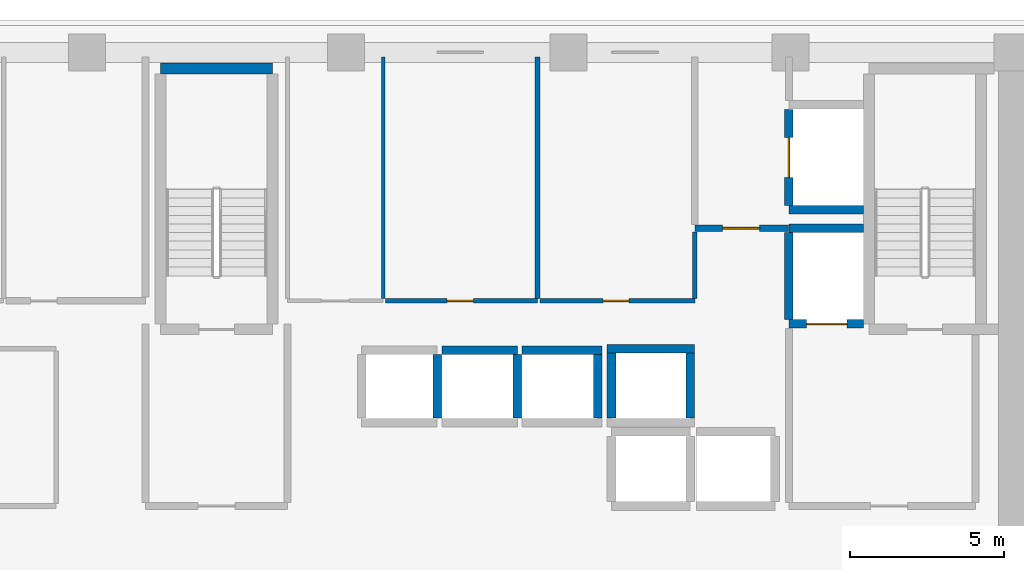
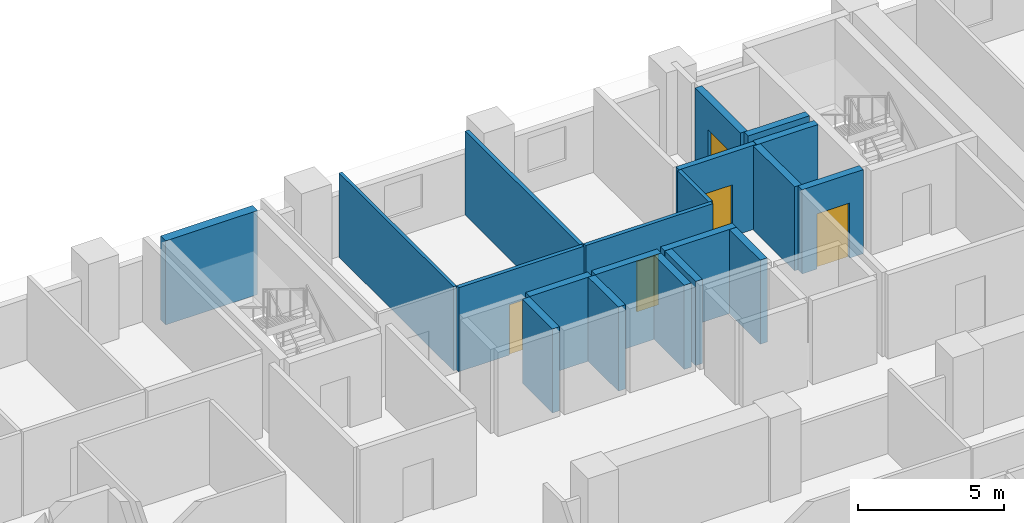
# One storey, part 8 of 15: 20 walls, 5 doors, 5 openings.
"""IFC4 building model written with IfcOpenShell, lengths in metres."""

from ifc_helpers import new_model, si_unit, direction, frame, frame_2d, origin, place, context, subcontext, project, spatial, rectangle, extrude, material, layer, layer_set, type_object, element, fill, save


model = new_model("IFC4")

# Units and contexts
model_context = context("Model", 3, precision=1e-05, world=origin(), true_north=direction((0.0, 1.0)))
body_context = subcontext(model_context, "Body", "Model", "MODEL_VIEW")
ifc_project = project(units=[si_unit("LENGTHUNIT", "METRE"), si_unit("AREAUNIT", "SQUARE_METRE"), si_unit("VOLUMEUNIT", "CUBIC_METRE"), si_unit("PLANEANGLEUNIT", "RADIAN"), si_unit("MASSUNIT", "GRAM", prefix="KILO")], contexts=[model_context])

# Site, building, storey
site_placement = place(None, origin())
site = spatial("IfcSite", under=ifc_project, at=site_placement, CompositionType="ELEMENT")
building_placement = place(site_placement, origin())
building = spatial("IfcBuilding", under=site, at=building_placement, Name="Kaelvorn Grand Hotel", CompositionType="ELEMENT")
storey_placement = place(building_placement, frame((0.0, 0.0, 96.800048828125)))
storey = spatial("IfcBuildingStorey", under=building, at=storey_placement, Name="L22", CompositionType="ELEMENT", Elevation=96.800048828125)

# Wall
ifc_material_1 = material(Name="Moisture-Resistant Tile & Stud Board")
ifc_layer_1 = layer(ifc_material_1, 0.125)
ifc_layer_set_1 = layer_set([ifc_layer_1], Name="Moisture-Resistant Tile & Stud Board")
wall_type_1 = type_object("IfcWallType", Name="WL-PART-125-WET", PredefinedType="PARTITIONING", material=ifc_layer_set_1)
wall_1_placement = place(storey_placement, frame((47.39990234375, 41.017578125, 0.0), z_axis=(0.0, 0.0, 1.0), x_axis=(0.0, 1.0, 0.0)))
element("IfcWall", 1, at=wall_1_placement, inside=storey, type_object=wall_type_1, Name="L22 Accessible WC E Partition", PredefinedType="PARTITIONING", context=body_context, shape_type="SweptSolid", body=[
    extrude(rectangle(XDim=7.83251953125, YDim=0.125, at=frame_2d((3.916259765625, 0.0))), origin(), (0.0, 0.0, 1.0), 3.510009765625),
])

# Wall, opening, door
ifc_material_2 = material(Name="Acoustic Gypsum & Stud Partition")
ifc_layer_2 = layer(ifc_material_2, 0.14990234375)
ifc_layer_set_2 = layer_set([ifc_layer_2], Name="Acoustic Gypsum & Stud Partition")
wall_type_2 = type_object("IfcWallType", Name="WL-PART-150-EI60", PredefinedType="PARTITIONING", material=ifc_layer_set_2)
wall_2_placement = place(storey_placement, frame((47.467529296875, 40.949951171875, 0.0), z_axis=(0.0, 0.0, 1.0), x_axis=(1.0, 0.0, 0.0)))
wall_2 = element("IfcWall", 2, at=wall_2_placement, inside=storey, type_object=wall_type_2, Name="L22 Valet & Luggage Store S Partition", PredefinedType="PARTITIONING", context=body_context, shape_type="SweptSolid", body=[
    extrude(rectangle(XDim=4.932373046875, YDim=0.14990234375, at=frame_2d((2.46630859375, 0.0))), origin(), (0.0, 0.0, 1.0), 3.510009765625),
])
opening_1_placement = place(wall_2_placement, frame((2.007568359375, 0.0, 0.0)))
opening_1 = element("IfcOpeningElement", 3, at=opening_1_placement, cuts=wall_2, Name="Opening DI7", PredefinedType="OPENING", context=body_context, shape_type="SweptSolid", body=[
    extrude(rectangle(XDim=0.85009765625, YDim=2.10009765625, at=frame_2d((0.425048828125, 1.050048828125))), frame((0.0, 0.0849609375, 0.0), z_axis=(0.0, -1.0, 0.0), x_axis=(1.0, 0.0, 0.0)), (0.0, 0.0, 1.0), 0.169921875),
])
ifc_material_3 = material(Name="Powder-Coated Steel Leaf", Category="steel")
door_type_1 = type_object("IfcDoorType", Name="DR-INT-RISER-850x2100", OperationType="NOTDEFINED", PredefinedType="DOOR", material=ifc_material_3)
door_1_placement = place(opening_1_placement, origin())
door_1 = element("IfcDoor", 4, at=door_1_placement, inside=storey, type_object=door_type_1, Name="L22 Valet & Luggage Store Door", OperationType="SINGLE_SWING_RIGHT", OverallHeight=2.10009765625, OverallWidth=0.85009765625, PredefinedType="DOOR", context=body_context, shape_type="SweptSolid", body=[
    extrude(rectangle(XDim=0.85009765625, YDim=2.10009765625, at=frame_2d((0.425048828125, 1.050048828125))), frame((0.0, 0.02490234375, 0.0), z_axis=(0.0, -1.0, 0.0), x_axis=(1.0, 0.0, 0.0)), (0.0, 0.0, 1.0), 0.050048828125),
])
fill(opening_1, door_1)

# Wall
wall_3_placement = place(storey_placement, frame((52.39990234375, 41.030029296875, 0.0), z_axis=(0.0, 0.0, 1.0), x_axis=(0.0, 1.0, 0.0)))
element("IfcWall", 5, at=wall_3_placement, inside=storey, type_object=wall_type_2, Name="L22 Valet & Luggage Store E Partition", PredefinedType="PARTITIONING", context=body_context, shape_type="SweptSolid", body=[
    extrude(rectangle(XDim=7.820068359375, YDim=0.14990234375, at=frame_2d((3.91015625, 0.0))), origin(), (0.0, 0.0, 1.0), 3.510009765625),
])

# Wall, opening, door
wall_4_placement = place(storey_placement, frame((52.47998046875, 40.949951171875, 0.0), z_axis=(0.0, 0.0, 1.0), x_axis=(1.0, 0.0, 0.0)))
wall_4 = element("IfcWall", 6, at=wall_4_placement, inside=storey, type_object=wall_type_2, Name="L22 Clean Utility & Amenity Store S Partition", PredefinedType="PARTITIONING", context=body_context, shape_type="SweptSolid", body=[
    extrude(rectangle(XDim=5.02001953125, YDim=0.14990234375, at=frame_2d((2.510009765625, 0.0))), origin(), (0.0, 0.0, 1.0), 3.510009765625),
])
opening_2_placement = place(wall_4_placement, frame((2.044921875, 0.0, 0.0)))
opening_2 = element("IfcOpeningElement", 7, at=opening_2_placement, cuts=wall_4, Name="Opening DI7", PredefinedType="OPENING", context=body_context, shape_type="SweptSolid", body=[
    extrude(rectangle(XDim=0.85009765625, YDim=2.10009765625, at=frame_2d((0.425048828125, 1.050048828125))), frame((0.0, 0.0849609375, 0.0), z_axis=(0.0, -1.0, 0.0), x_axis=(1.0, 0.0, 0.0)), (0.0, 0.0, 1.0), 0.169921875),
])
door_2_placement = place(opening_2_placement, origin())
door_2 = element("IfcDoor", 8, at=door_2_placement, inside=storey, type_object=door_type_1, Name="L22 Clean Utility & Amenity Store Door", OperationType="SINGLE_SWING_LEFT", OverallHeight=2.10009765625, OverallWidth=0.85009765625, PredefinedType="DOOR", context=body_context, shape_type="SweptSolid", body=[
    extrude(rectangle(XDim=0.85009765625, YDim=2.10009765625, at=frame_2d((0.425048828125, 1.050048828125))), frame((0.0, 0.02490234375, 0.0), z_axis=(0.0, -1.0, 0.0), x_axis=(1.0, 0.0, 0.0)), (0.0, 0.0, 1.0), 0.050048828125),
])
fill(opening_2, door_2)

# Wall
wall_5_placement = place(storey_placement, frame((57.5, 41.030029296875, 0.0), z_axis=(0.0, 0.0, 1.0), x_axis=(0.0, 1.0, 0.0)))
element("IfcWall", 9, at=wall_5_placement, inside=storey, type_object=wall_type_2, Name="L22 Clean Utility & Amenity Store E Partition", PredefinedType="PARTITIONING", context=body_context, shape_type="SweptSolid", body=[
    extrude(rectangle(XDim=2.155029296875, YDim=0.14990234375, at=frame_2d((1.07763671875, 0.0))), origin(), (0.0, 0.0, 1.0), 3.510009765625),
])

# Wall, opening, door
ifc_material_4 = material(Name="Concrete C40/50", Category="concrete")
ifc_layer_3 = layer(ifc_material_4, 0.219970703125)
ifc_layer_set_3 = layer_set([ifc_layer_3], Name="Concrete C40/50")
wall_type_3 = type_object("IfcWallType", Name="WL-PART-220-EI120", PredefinedType="PARTITIONING", material=ifc_layer_set_3)
wall_6_placement = place(storey_placement, frame((57.5, 43.300048828125, 0.0), z_axis=(0.0, 0.0, 1.0), x_axis=(1.0, 0.0, 0.0)))
wall_6 = element("IfcWall", 10, at=wall_6_placement, inside=storey, type_object=wall_type_3, Name="L22 Service Lift Lobby S Partition", PredefinedType="PARTITIONING", context=body_context, shape_type="SweptSolid", body=[
    extrude(rectangle(XDim=3.0400390625, YDim=0.219970703125, at=frame_2d((1.52001953125, 0.0))), origin(), (0.0, 0.0, 1.0), 3.510009765625),
])
opening_3_placement = place(wall_6_placement, frame((0.89990234375, 0.0, 0.0)))
opening_3 = element("IfcOpeningElement", 11, at=opening_3_placement, cuts=wall_6, Name="Opening DI2", PredefinedType="OPENING", context=body_context, shape_type="SweptSolid", body=[
    extrude(rectangle(XDim=1.199951171875, YDim=2.14990234375, at=frame_2d((0.60009765625, 1.074951171875))), frame((0.0, 0.1201171875, 0.0), z_axis=(0.0, -1.0, 0.0), x_axis=(1.0, 0.0, 0.0)), (0.0, 0.0, 1.0), 0.239990234375),
])
ifc_material_5 = material(Name="Timber Veneer Fire Leaf", Category="wood")
door_type_2 = type_object("IfcDoorType", Name="DR-INT-FFLOB-1200x2150", OperationType="NOTDEFINED", PredefinedType="DOOR", material=ifc_material_5)
door_3_placement = place(opening_3_placement, origin())
door_3 = element("IfcDoor", 12, at=door_3_placement, inside=storey, type_object=door_type_2, Name="L22 Service Lift Lobby Door", OperationType="SINGLE_SWING_RIGHT", OverallHeight=2.14990234375, OverallWidth=1.199951171875, PredefinedType="DOOR", context=body_context, shape_type="SweptSolid", body=[
    extrude(rectangle(XDim=1.199951171875, YDim=2.14990234375, at=frame_2d((0.60009765625, 1.074951171875))), frame((0.0, 0.02490234375, 0.0), z_axis=(0.0, -1.0, 0.0), x_axis=(1.0, 0.0, 0.0)), (0.0, 0.0, 1.0), 0.050048828125),
])
fill(opening_3, door_3)

# Walls
ifc_material_6 = material(Name="Concrete C50/60", Category="concrete")
ifc_layer_4 = layer(ifc_material_6, 0.280029296875)
ifc_layer_set_4 = layer_set([ifc_layer_4], Name="Concrete C50/60")
wall_type_4 = type_object("IfcWallType", Name="WL-SHAFT-280-C50", PredefinedType="SHEAR", material=ifc_layer_set_4)
wall_7_placement = place(storey_placement, frame((49.14990234375, 37.14501953125, 0.0), z_axis=(0.0, 0.0, 1.0), x_axis=(0.0, 1.0, 0.0)))
element("IfcWall", 13, at=wall_7_placement, inside=storey, type_object=wall_type_4, Name="L22 Lift SL-1 Shaft East Wall", PredefinedType="SHEAR", context=body_context, shape_type="SweptSolid", body=[
    extrude(rectangle(XDim=2.06005859375, YDim=0.280029296875, at=frame_2d((1.030029296875, 0.0))), origin(), (0.0, 0.0, 1.0), 3.510009765625),
])
wall_8_placement = place(storey_placement, frame((49.300048828125, 39.35009765625, 0.0), z_axis=(0.0, 0.0, 1.0), x_axis=(1.0, 0.0, 0.0)))
element("IfcWall", 14, at=wall_8_placement, inside=storey, type_object=wall_type_4, Name="L22 Lift SL-2 Shaft North Wall", PredefinedType="SHEAR", context=body_context, shape_type="SweptSolid", body=[
    extrude(rectangle(XDim=2.449951171875, YDim=0.280029296875, at=frame_2d((1.22509765625, 0.0))), origin(), (0.0, 0.0, 1.0), 3.510009765625),
])
wall_9_placement = place(storey_placement, frame((51.75, 37.14501953125, 0.0), z_axis=(0.0, 0.0, 1.0), x_axis=(0.0, 1.0, 0.0)))
element("IfcWall", 15, at=wall_9_placement, inside=storey, type_object=wall_type_4, Name="L22 Lift SL-2 Shaft East Wall", PredefinedType="SHEAR", context=body_context, shape_type="SweptSolid", body=[
    extrude(rectangle(XDim=2.06005859375, YDim=0.280029296875, at=frame_2d((1.030029296875, 0.0))), origin(), (0.0, 0.0, 1.0), 3.510009765625),
])
wall_10_placement = place(storey_placement, frame((51.89990234375, 39.35009765625, 0.0), z_axis=(0.0, 0.0, 1.0), x_axis=(1.0, 0.0, 0.0)))
element("IfcWall", 16, at=wall_10_placement, inside=storey, type_object=wall_type_4, Name="L22 Lift SL-3 Shaft North Wall", PredefinedType="SHEAR", context=body_context, shape_type="SweptSolid", body=[
    extrude(rectangle(XDim=2.590087890625, YDim=0.280029296875, at=frame_2d((1.294921875, 0.0))), origin(), (0.0, 0.0, 1.0), 3.510009765625),
])
wall_11_placement = place(storey_placement, frame((54.35009765625, 37.14501953125, 0.0), z_axis=(0.0, 0.0, 1.0), x_axis=(0.0, 1.0, 0.0)))
element("IfcWall", 17, at=wall_11_placement, inside=storey, type_object=wall_type_4, Name="L22 Lift SL-3 Shaft East Wall", PredefinedType="SHEAR", context=body_context, shape_type="SweptSolid", body=[
    extrude(rectangle(XDim=2.06005859375, YDim=0.280029296875, at=frame_2d((1.030029296875, 0.0))), origin(), (0.0, 0.0, 1.0), 3.510009765625),
])
wall_12_placement = place(storey_placement, frame((54.659912109375, 39.39990234375, 0.0), z_axis=(0.0, 0.0, 1.0), x_axis=(1.0, 0.0, 0.0)))
element("IfcWall", 18, at=wall_12_placement, inside=storey, type_object=wall_type_4, Name="L22 Lift OL-3 Shaft North Wall", PredefinedType="SHEAR", context=body_context, shape_type="SweptSolid", body=[
    extrude(rectangle(XDim=2.830078125, YDim=0.280029296875, at=frame_2d((1.4150390625, 0.0))), origin(), (0.0, 0.0, 1.0), 3.510009765625),
])
for number, where, z_axis, x_axis, name in (
    (19, (54.800048828125, 37.14501953125, 0.0), (0.0, 0.0, 1.0), (0.0, 1.0, 0.0), "L22 Lift OL-3 Shaft West Wall"),
    (20, (57.35009765625, 37.14501953125, 0.0), (0.0, 0.0, 1.0), (0.0, 1.0, 0.0), "L22 Lift OL-3 Shaft East Wall"),
):
    element("IfcWall", number, at=place(storey_placement, frame(where, z_axis=z_axis, x_axis=x_axis)), inside=storey, type_object=wall_type_4, Name=name, PredefinedType="SHEAR", context=body_context, shape_type="SweptSolid", body=[
        extrude(rectangle(XDim=2.10986328125, YDim=0.280029296875, at=frame_2d((1.054931640625, 0.0))), origin(), (0.0, 0.0, 1.0), 3.510009765625),
    ])

# Wall, opening, door
wall_13_placement = place(storey_placement, frame((60.550048828125, 40.199951171875, 0.0), z_axis=(0.0, 0.0, 1.0), x_axis=(1.0, 0.0, 0.0)))
wall_13 = element("IfcWall", 21, at=wall_13_placement, inside=storey, type_object=wall_type_4, Name="L22 Lift FFL2 Shaft South Wall", PredefinedType="SHEAR", context=body_context, shape_type="SweptSolid", body=[
    extrude(rectangle(XDim=2.4150390625, YDim=0.280029296875, at=frame_2d((1.20751953125, 0.0))), origin(), (0.0, 0.0, 1.0), 3.510009765625),
])
opening_4_placement = place(wall_13_placement, frame((0.574951171875, 0.0, 0.0)))
opening_4 = element("IfcOpeningElement", 22, at=opening_4_placement, cuts=wall_13, Name="Opening LD-FFL2", PredefinedType="OPENING", context=body_context, shape_type="SweptSolid", body=[
    extrude(rectangle(XDim=1.300048828125, YDim=2.300048828125, at=frame_2d((0.64990234375, 1.14990234375))), frame((0.0, 0.14990234375, 0.0), z_axis=(0.0, -1.0, 0.0), x_axis=(1.0, 0.0, 0.0)), (0.0, 0.0, 1.0), 0.300048828125),
])
ifc_material_7 = material(Name="Stainless Steel", Category="steel")
door_type_3 = type_object("IfcDoorType", Name="DR-LIFT-SERV-1300x2300", OperationType="DOUBLE_DOOR_SLIDING", PredefinedType="DOOR", material=ifc_material_7)
door_4_placement = place(opening_4_placement, origin())
door_4 = element("IfcDoor", 23, at=door_4_placement, inside=storey, type_object=door_type_3, Name="L22 Lift FFL2 Sliding Landing Door LD-FFL2", OperationType="DOUBLE_DOOR_SLIDING", OverallHeight=2.300048828125, OverallWidth=1.300048828125, PredefinedType="DOOR", context=body_context, shape_type="SweptSolid", body=[
    extrude(rectangle(XDim=1.300048828125, YDim=2.300048828125, at=frame_2d((0.64990234375, 1.14990234375))), frame((0.0, 0.02490234375, 0.0), z_axis=(0.0, -1.0, 0.0), x_axis=(1.0, 0.0, 0.0)), (0.0, 0.0, 1.0), 0.050048828125),
])
fill(opening_4, door_4)

# Walls
wall_14_placement = place(storey_placement, frame((60.550048828125, 43.300048828125, 0.0), z_axis=(0.0, 0.0, 1.0), x_axis=(1.0, 0.0, 0.0)))
element("IfcWall", 24, at=wall_14_placement, inside=storey, type_object=wall_type_4, Name="L22 Lift FFL2 Shaft North Wall", PredefinedType="SHEAR", context=body_context, shape_type="SweptSolid", body=[
    extrude(rectangle(XDim=2.4150390625, YDim=0.280029296875, at=frame_2d((1.20751953125, 0.0))), origin(), (0.0, 0.0, 1.0), 3.510009765625),
])
wall_15_placement = place(storey_placement, frame((60.550048828125, 40.344970703125, 0.0), z_axis=(0.0, 0.0, 1.0), x_axis=(0.0, 1.0, 0.0)))
element("IfcWall", 25, at=wall_15_placement, inside=storey, type_object=wall_type_4, Name="L22 Lift FFL2 Shaft West Wall", PredefinedType="SHEAR", context=body_context, shape_type="SweptSolid", body=[
    extrude(rectangle(XDim=2.81005859375, YDim=0.280029296875, at=frame_2d((1.405029296875, 0.0))), origin(), (0.0, 0.0, 1.0), 3.510009765625),
])
wall_16_placement = place(storey_placement, frame((60.550048828125, 43.89990234375, 0.0), z_axis=(0.0, 0.0, 1.0), x_axis=(1.0, 0.0, 0.0)))
element("IfcWall", 26, at=wall_16_placement, inside=storey, type_object=wall_type_4, Name="L22 Lift SV1 Shaft South Wall", PredefinedType="SHEAR", context=body_context, shape_type="SweptSolid", body=[
    extrude(rectangle(XDim=2.4150390625, YDim=0.280029296875, at=frame_2d((1.20751953125, 0.0))), origin(), (0.0, 0.0, 1.0), 3.510009765625),
])

# Wall, opening, door
wall_17_placement = place(storey_placement, frame((60.550048828125, 44.044921875, 0.0), z_axis=(0.0, 0.0, 1.0), x_axis=(0.0, 1.0, 0.0)))
wall_17 = element("IfcWall", 27, at=wall_17_placement, inside=storey, type_object=wall_type_4, Name="L22 Lift SV1 Shaft West Wall", PredefinedType="SHEAR", context=body_context, shape_type="SweptSolid", body=[
    extrude(rectangle(XDim=3.110107421875, YDim=0.280029296875, at=frame_2d((1.55517578125, 0.0))), origin(), (0.0, 0.0, 1.0), 3.510009765625),
])
opening_5_placement = place(wall_17_placement, frame((0.905029296875, 0.0, 0.0)))
opening_5 = element("IfcOpeningElement", 28, at=opening_5_placement, cuts=wall_17, Name="Opening LD-SV1", PredefinedType="OPENING", context=body_context, shape_type="SweptSolid", body=[
    extrude(rectangle(XDim=1.300048828125, YDim=2.300048828125, at=frame_2d((0.64990234375, 1.14990234375))), frame((0.0, 0.14990234375, 0.0), z_axis=(0.0, -1.0, 0.0), x_axis=(1.0, 0.0, 0.0)), (0.0, 0.0, 1.0), 0.300048828125),
])
door_5_placement = place(opening_5_placement, origin())
door_5 = element("IfcDoor", 29, at=door_5_placement, inside=storey, type_object=door_type_3, Name="L22 Lift SV1 Sliding Landing Door LD-SV1", OperationType="DOUBLE_DOOR_SLIDING", OverallHeight=2.300048828125, OverallWidth=1.300048828125, PredefinedType="DOOR", context=body_context, shape_type="SweptSolid", body=[
    extrude(rectangle(XDim=1.300048828125, YDim=2.300048828125, at=frame_2d((0.64990234375, 1.14990234375))), frame((0.0, 0.02490234375, 0.0), z_axis=(0.0, -1.0, 0.0), x_axis=(1.0, 0.0, 0.0)), (0.0, 0.0, 1.0), 0.050048828125),
])
fill(opening_5, door_5)

# Wall
ifc_material_8 = material(Name="Concrete C60/75", Category="concrete")
ifc_layer_5 = layer(ifc_material_8, 0.35009765625)
ifc_layer_set_5 = layer_set([ifc_layer_5], Name="Concrete C60/75")
wall_type_5 = type_object("IfcWallType", Name="WL-SHAFT-350-C60", PredefinedType="SHEAR", material=ifc_layer_set_5)
wall_18_placement = place(storey_placement, frame((40.18505859375, 48.47509765625, 0.0), z_axis=(0.0, 0.0, 1.0), x_axis=(1.0, 0.0, 0.0)))
element("IfcWall", 30, at=wall_18_placement, inside=storey, type_object=wall_type_5, Name="L22 ST2 Stair Shaft North Wall", PredefinedType="SHEAR", context=body_context, shape_type="SweptSolid", body=[
    extrude(rectangle(XDim=3.6298828125, YDim=0.35009765625, at=frame_2d((1.81494140625, 0.0))), origin(), (0.0, 0.0, 1.0), 3.510009765625),
])

save(model, "model.ifc")
